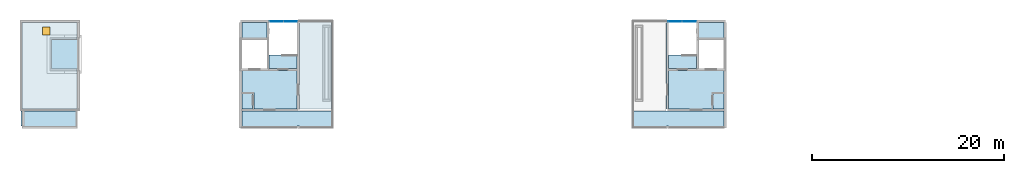
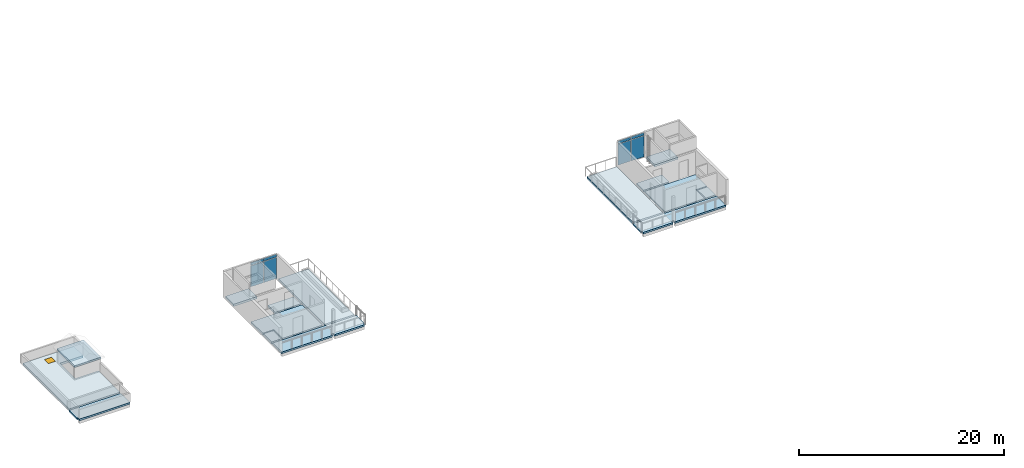
# One storey, part 8 of 15: 15 slabs, 8 plates, 1 door, 1 opening, 2 elements without a shape of their own.
"""IFC4 building model written with IfcOpenShell, lengths in metres."""

from ifc_helpers import new_model, si_unit, direction, frame, origin, origin_2d, place, context, subcontext, project, spatial, polyline, rectangle, outline, extrude, material, layer, layer_set, type_object, element, fill, aggregate, save


model = new_model("IFC4")

# Units and contexts
model_context = context("Model", 3, precision=1e-05, world=origin(), true_north=direction((0.0, 1.0)))
body_context = subcontext(model_context, "Body", "Model", "MODEL_VIEW")
ifc_project = project(units=[si_unit("LENGTHUNIT", "METRE"), si_unit("AREAUNIT", "SQUARE_METRE"), si_unit("VOLUMEUNIT", "CUBIC_METRE"), si_unit("PLANEANGLEUNIT", "RADIAN"), si_unit("MASSUNIT", "GRAM", prefix="KILO")], contexts=[model_context])

# Site, building, storey
site_placement = place(None, origin())
site = spatial("IfcSite", under=ifc_project, at=site_placement, CompositionType="ELEMENT")
building_placement = place(site_placement, origin())
building = spatial("IfcBuilding", under=site, at=building_placement, Name="Ridgestep Commons", CompositionType="ELEMENT")
storey_placement = place(building_placement, frame((0.0, 0.0, 45.0)))
storey = spatial("IfcBuildingStorey", under=building, at=storey_placement, Name="L15", CompositionType="ELEMENT", Elevation=45.0)

# Slabs
ifc_material_1 = material(Name="Precast concrete C40/50", Category="concrete")
ifc_layer_1 = layer(ifc_material_1, 0.199951171875)
ifc_layer_set_1 = layer_set([ifc_layer_1], Name="Gallery roof slab 200")
slab_type_1 = type_object("IfcSlabType", Name="Gallery roof slab 200", PredefinedType="ROOF", material=ifc_layer_set_1)
slab_1_placement = place(storey_placement, frame((0.0, 0.0, -0.199951171875)))
element("IfcSlab", 1, at=slab_1_placement, inside=storey, type_object=slab_type_1, Name="Gallery slab A1 L15", PredefinedType="ROOF", context=body_context, shape_type="SweptSolid", body=[
    extrude(outline(polyline([(22.800048828125, 13.550048828125), (22.800048828125, 12.0), (22.925048828125, 12.0), (22.925048828125, 11.75), (28.64990234375, 11.75), (28.64990234375, 13.550048828125), (22.800048828125, 13.550048828125)])), origin(), (0.0, 0.0, 1.0), 0.199951171875),
])
ifc_material_2 = material(Name="Precast concrete C40/50", Category="concrete")
ifc_layer_2 = layer(ifc_material_2, 0.199951171875)
ifc_layer_set_2 = layer_set([ifc_layer_2], Name="Gallery slab 200")
slab_type_2 = type_object("IfcSlabType", Name="Gallery slab 200", PredefinedType="FLOOR", material=ifc_layer_set_2)
slab_2_placement = place(storey_placement, frame((0.0, 0.0, -0.199951171875)))
element("IfcSlab", 2, at=slab_2_placement, inside=storey, type_object=slab_type_2, Name="Gallery slab A3 L15", PredefinedType="FLOOR", context=body_context, shape_type="SweptSolid", body=[
    extrude(outline(polyline([(45.75, 13.550048828125), (45.75, 11.75), (51.47509765625, 11.75), (51.47509765625, 12.0), (51.72509765625, 12.0), (51.72509765625, 11.75), (55.074951171875, 11.75), (55.074951171875, 12.0), (55.199951171875, 12.0), (55.199951171875, 13.550048828125), (45.75, 13.550048828125)])), origin(), (0.0, 0.0, 1.0), 0.199951171875),
])
slab_3_placement = place(storey_placement, frame((0.0, 0.0, -0.199951171875)))
element("IfcSlab", 3, at=slab_3_placement, inside=storey, type_object=slab_type_2, Name="Gallery slab A5 L15", PredefinedType="FLOOR", context=body_context, shape_type="SweptSolid", body=[
    extrude(outline(polyline([(95.85009765625, 13.550048828125), (86.39990234375, 13.550048828125), (86.39990234375, 12.0), (86.52490234375, 12.0), (86.52490234375, 11.75), (89.875, 11.75), (89.875, 12.0), (90.125, 12.0), (90.125, 11.75), (95.85009765625, 11.75), (95.85009765625, 13.550048828125)])), origin(), (0.0, 0.0, 1.0), 0.199951171875),
])

# Curtain wall, plates
ifc_material_3 = material(Name="Aluminium 6063-T6 and glass", Category="aluminium")
curtain_wall_type = type_object("IfcCurtainWallType", Name="Curtain wall stair strip", PredefinedType="NOTDEFINED", material=ifc_material_3)
curtain_wall_1_placement = place(storey_placement, origin())
curtain_wall_1 = element("IfcCurtainWall", 4, at=curtain_wall_1_placement, inside=storey, type_object=curtain_wall_type, Name="Curtain wall A3C level 15", PredefinedType="NOTDEFINED")
ifc_material_4 = material(Name="Glass laminated 6/16/6 low-emissivity", Category="glass")
ifc_layer_3 = layer(ifc_material_4, 0.028076171875)
ifc_layer_set_3 = layer_set([ifc_layer_3], Name="Glazing panel 28")
plate_type_1 = type_object("IfcPlateType", Name="Glazing panel 28", PredefinedType="CURTAIN_PANEL", material=ifc_layer_set_3)
plate_1_placement = place(storey_placement, frame((49.34619140625, 22.830078125, 0.06005859375), z_axis=(0.0, 0.0, 1.0), x_axis=(1.0, 0.0, 0.0)))
plate_1 = element("IfcPlate", 5, at=plate_1_placement, type_object=plate_type_1, Name="CW1 panel 1.1", PredefinedType="CURTAIN_PANEL", context=body_context, shape_type="SweptSolid", body=[
    extrude(rectangle(XDim=1.422607421875, YDim=0.028076171875, at=origin_2d()), origin(), (0.0, 0.0, 1.0), 2.5),
])
plate_2_placement = place(storey_placement, frame((50.828857421875, 22.830078125, 0.06005859375), z_axis=(0.0, 0.0, 1.0), x_axis=(1.0, 0.0, 0.0)))
plate_2 = element("IfcPlate", 6, at=plate_2_placement, type_object=plate_type_1, Name="CW1 panel 2.1", PredefinedType="CURTAIN_PANEL", context=body_context, shape_type="SweptSolid", body=[
    extrude(rectangle(XDim=1.422607421875, YDim=0.028076171875, at=origin_2d()), origin(), (0.0, 0.0, 1.0), 2.5),
])

curtain_wall_2_placement = place(storey_placement, origin())
curtain_wall_2 = element("IfcCurtainWall", 7, at=curtain_wall_2_placement, inside=storey, type_object=curtain_wall_type, Name="Curtain wall A5C level 15", PredefinedType="NOTDEFINED")
plate_3_placement = place(storey_placement, frame((90.771240234375, 22.830078125, 0.06005859375), z_axis=(0.0, 0.0, 1.0), x_axis=(1.0, 0.0, 0.0)))
plate_3 = element("IfcPlate", 8, at=plate_3_placement, type_object=plate_type_1, Name="CW1 panel 1.1", PredefinedType="CURTAIN_PANEL", context=body_context, shape_type="SweptSolid", body=[
    extrude(rectangle(XDim=1.422607421875, YDim=0.028076171875, at=origin_2d()), origin(), (0.0, 0.0, 1.0), 2.5),
])
plate_4_placement = place(storey_placement, frame((92.253662109375, 22.830078125, 0.06005859375), z_axis=(0.0, 0.0, 1.0), x_axis=(1.0, 0.0, 0.0)))
plate_4 = element("IfcPlate", 9, at=plate_4_placement, type_object=plate_type_1, Name="CW1 panel 2.1", PredefinedType="CURTAIN_PANEL", context=body_context, shape_type="SweptSolid", body=[
    extrude(rectangle(XDim=1.422607421875, YDim=0.028076171875, at=origin_2d()), origin(), (0.0, 0.0, 1.0), 2.5),
])

# Slabs
ifc_material_5 = material(Name="Precast concrete C50/60", Category="concrete")
ifc_layer_4 = layer(ifc_material_5, 0.25)
ifc_layer_set_4 = layer_set([ifc_layer_4], Name="Hollow-core plank 250")
slab_type_3 = type_object("IfcSlabType", Name="Hollow-core plank 250", PredefinedType="FLOOR", material=ifc_layer_set_4)
slab_4_placement = place(storey_placement, frame((0.0, 0.0, -0.25)))
element("IfcSlab", 10, at=slab_4_placement, inside=storey, type_object=slab_type_3, Name="Floor plank A3C L15", PredefinedType="FLOOR", context=body_context, shape_type="SweptSolid", body=[
    extrude(outline(polyline([(47.0, 13.75), (51.47509765625, 13.75), (51.47509765625, 17.75), (45.75, 17.75), (45.75, 15.469970703125), (46.8798828125, 15.469970703125), (47.0, 15.469970703125), (47.0, 13.75)])), origin(), (0.0, 0.0, 1.0), 0.25),
])
slab_5_placement = place(storey_placement, frame((0.0, 0.0, -0.25)))
element("IfcSlab", 11, at=slab_5_placement, inside=storey, type_object=slab_type_3, Name="Floor plank A3C L15", PredefinedType="FLOOR", context=body_context, shape_type="SweptSolid", body=[
    extrude(outline(polyline([(48.375, 22.75), (45.75, 22.75), (45.75, 21.14990234375), (48.375, 21.14990234375), (48.375, 22.75)])), origin(), (0.0, 0.0, 1.0), 0.25),
])
slab_6_placement = place(storey_placement, frame((0.0, 0.0, -0.25)))
element("IfcSlab", 12, at=slab_6_placement, inside=storey, type_object=slab_type_3, Name="Floor plank A3C L15", PredefinedType="FLOOR", context=body_context, shape_type="SweptSolid", body=[
    extrude(outline(polyline([(51.47509765625, 17.949951171875), (51.47509765625, 19.35009765625), (48.574951171875, 19.35009765625), (48.574951171875, 17.949951171875), (51.47509765625, 17.949951171875)])), origin(), (0.0, 0.0, 1.0), 0.25),
])
slab_7_placement = place(storey_placement, frame((0.0, 0.0, -0.25)))
element("IfcSlab", 13, at=slab_7_placement, inside=storey, type_object=slab_type_3, Name="Floor plank A3C L15", PredefinedType="FLOOR", context=body_context, shape_type="SweptSolid", body=[
    extrude(outline(polyline([(46.8798828125, 15.35009765625), (45.75, 15.35009765625), (45.75, 13.75), (46.8798828125, 13.75), (46.8798828125, 15.35009765625)])), origin(), (0.0, 0.0, 1.0), 0.25),
])
slab_8_placement = place(storey_placement, frame((0.0, 0.0, -0.25)))
element("IfcSlab", 14, at=slab_8_placement, inside=storey, type_object=slab_type_3, Name="Floor plank A5C L15", PredefinedType="FLOOR", context=body_context, shape_type="SweptSolid", body=[
    extrude(outline(polyline([(94.719970703125, 15.469970703125), (95.85009765625, 15.469970703125), (95.85009765625, 17.75), (90.125, 17.75), (90.125, 13.75), (94.60009765625, 13.75), (94.60009765625, 15.469970703125), (94.719970703125, 15.469970703125)])), origin(), (0.0, 0.0, 1.0), 0.25),
])
slab_9_placement = place(storey_placement, frame((0.0, 0.0, -0.25)))
element("IfcSlab", 15, at=slab_9_placement, inside=storey, type_object=slab_type_3, Name="Floor plank A5C L15", PredefinedType="FLOOR", context=body_context, shape_type="SweptSolid", body=[
    extrude(outline(polyline([(95.85009765625, 21.14990234375), (95.85009765625, 22.75), (93.22509765625, 22.75), (93.22509765625, 21.14990234375), (95.85009765625, 21.14990234375)])), origin(), (0.0, 0.0, 1.0), 0.25),
])
slab_10_placement = place(storey_placement, frame((0.0, 0.0, -0.25)))
element("IfcSlab", 16, at=slab_10_placement, inside=storey, type_object=slab_type_3, Name="Floor plank A5C L15", PredefinedType="FLOOR", context=body_context, shape_type="SweptSolid", body=[
    extrude(outline(polyline([(93.02490234375, 17.949951171875), (93.02490234375, 19.35009765625), (90.125, 19.35009765625), (90.125, 17.949951171875), (93.02490234375, 17.949951171875)])), origin(), (0.0, 0.0, 1.0), 0.25),
])
slab_11_placement = place(storey_placement, frame((0.0, 0.0, -0.25)))
element("IfcSlab", 17, at=slab_11_placement, inside=storey, type_object=slab_type_3, Name="Floor plank A5C L15", PredefinedType="FLOOR", context=body_context, shape_type="SweptSolid", body=[
    extrude(outline(polyline([(94.719970703125, 13.75), (95.85009765625, 13.75), (95.85009765625, 15.35009765625), (94.719970703125, 15.35009765625), (94.719970703125, 13.75)])), origin(), (0.0, 0.0, 1.0), 0.25),
])
ifc_material_6 = material(Name="Precast concrete C50/60", Category="concrete")
ifc_layer_5 = layer(ifc_material_6, 0.199951171875)
ifc_layer_set_5 = layer_set([ifc_layer_5], Name="Overrun roof 200")
slab_type_4 = type_object("IfcSlabType", Name="Overrun roof 200", PredefinedType="ROOF", material=ifc_layer_set_5)
slab_12_placement = place(storey_placement, frame((0.0, 0.0, 1.5)))
element("IfcSlab", 18, at=slab_12_placement, inside=storey, type_object=slab_type_4, Name="Lift overrun roof A1C", PredefinedType="ROOF", context=body_context, shape_type="SweptSolid", body=[
    extrude(outline(polyline([(28.800048828125, 17.75), (28.800048828125, 21.14990234375), (25.824951171875, 21.14990234375), (25.824951171875, 17.75), (28.800048828125, 17.75)])), origin(), (0.0, 0.0, 1.0), 0.199951171875),
])

# Slab, opening, door
ifc_material_7 = material(Name="Precast concrete C50/60", Category="concrete")
ifc_layer_6 = layer(ifc_material_7, 0.25)
ifc_layer_set_6 = layer_set([ifc_layer_6], Name="Roof slab 250")
slab_type_5 = type_object("IfcSlabType", Name="Roof slab 250", PredefinedType="ROOF", material=ifc_layer_set_6)
slab_13_placement = place(storey_placement, frame((0.0, 0.0, -0.25)))
slab_13 = element("IfcSlab", 19, at=slab_13_placement, inside=storey, type_object=slab_type_5, Name="Roof slab A1C", PredefinedType="ROOF", context=body_context, shape_type="SweptSolid", body=[
    extrude(outline(polyline([(28.64990234375, 13.75), (28.64990234375, 17.949951171875), (26.02490234375, 17.949951171875), (26.02490234375, 20.949951171875), (28.64990234375, 20.949951171875), (28.64990234375, 22.75), (22.925048828125, 22.75), (22.925048828125, 13.75), (28.64990234375, 13.75)])), origin(), (0.0, 0.0, 1.0), 0.25),
])
opening_placement = place(slab_13_placement, frame((25.425048828125, 21.85009765625, 0.0)))
opening = element("IfcOpeningElement", 20, at=opening_placement, cuts=slab_13, Name="Opening A1C/RF/1", PredefinedType="OPENING", context=body_context, shape_type="SweptSolid", body=[
    extrude(rectangle(XDim=0.800048828125, YDim=0.800048828125, at=origin_2d()), origin(), (0.0, 0.0, 1.0), 0.25),
])
ifc_material_8 = material(Name="Steel", Category="steel")
door_type = type_object("IfcDoorType", Name="Ladder roof hatch 800 x 800", OperationType="SINGLE_SWING_LEFT", PredefinedType="TRAPDOOR", material=ifc_material_8)
door_placement = place(opening_placement, frame((0.0, 0.0, 0.199951171875)))
door = element("IfcDoor", 21, at=door_placement, inside=storey, type_object=door_type, Name="Roof hatch A1C", OperationType="SINGLE_SWING_LEFT", OverallHeight=0.800048828125, OverallWidth=0.800048828125, PredefinedType="TRAPDOOR", context=body_context, shape_type="SweptSolid", body=[
    extrude(rectangle(XDim=0.800048828125, YDim=0.800048828125, at=origin_2d()), origin(), (0.0, 0.0, 1.0), 0.050048828125),
])
fill(opening, door)

# Slabs
slab_14_placement = place(storey_placement, frame((0.0, 0.0, -0.25)))
element("IfcSlab", 22, at=slab_14_placement, inside=storey, type_object=slab_type_5, Name="Terrace slab A3T3", PredefinedType="ROOF", context=body_context, shape_type="SweptSolid", body=[
    extrude(outline(polyline([(55.10009765625, 13.75), (55.10009765625, 22.75), (51.72509765625, 22.75), (51.72509765625, 13.75), (55.10009765625, 13.75)])), origin(), (0.0, 0.0, 1.0), 0.25),
])
slab_15_placement = place(storey_placement, frame((0.0, 0.0, -0.25)))
element("IfcSlab", 23, at=slab_15_placement, inside=storey, type_object=slab_type_5, Name="Terrace slab A5T3", PredefinedType="ROOF", context=body_context, shape_type="SweptSolid", body=[
    extrude(outline(polyline([(89.875, 13.75), (89.875, 22.75), (86.5, 22.75), (86.5, 13.75), (89.875, 13.75)])), origin(), (0.0, 0.0, 1.0), 0.25),
])

# Plate
ifc_material_9 = material(Name="Aluminium 6063-T6 and mineral wool", Category="aluminium")
ifc_layer_7 = layer(ifc_material_9, 0.0400390625)
ifc_layer_set_7 = layer_set([ifc_layer_7], Name="Spandrel panel 40")
plate_type_2 = type_object("IfcPlateType", Name="Spandrel panel 40", PredefinedType="CURTAIN_PANEL", material=ifc_layer_set_7)
plate_5_placement = place(storey_placement, frame((49.34619140625, 22.830078125, 2.6201171875), z_axis=(0.0, 0.0, 1.0), x_axis=(1.0, 0.0, 0.0)))
plate_5 = element("IfcPlate", 24, at=plate_5_placement, type_object=plate_type_2, Name="CW1 panel 1.2", PredefinedType="CURTAIN_PANEL", context=body_context, shape_type="SweptSolid", body=[
    extrude(rectangle(XDim=1.422607421875, YDim=0.0400390625, at=origin_2d()), origin(), (0.0, 0.0, 1.0), 0.320068359375),
])

plate_6_placement = place(storey_placement, frame((50.828857421875, 22.830078125, 2.6201171875), z_axis=(0.0, 0.0, 1.0), x_axis=(1.0, 0.0, 0.0)))
plate_6 = element("IfcPlate", 25, at=plate_6_placement, type_object=plate_type_2, Name="CW1 panel 2.2", PredefinedType="CURTAIN_PANEL", context=body_context, shape_type="SweptSolid", body=[
    extrude(rectangle(XDim=1.422607421875, YDim=0.0400390625, at=origin_2d()), origin(), (0.0, 0.0, 1.0), 0.320068359375),
])

aggregate(curtain_wall_1, [plate_1, plate_5, plate_2, plate_6])

plate_7_placement = place(storey_placement, frame((90.771240234375, 22.830078125, 2.6201171875), z_axis=(0.0, 0.0, 1.0), x_axis=(1.0, 0.0, 0.0)))
plate_7 = element("IfcPlate", 26, at=plate_7_placement, type_object=plate_type_2, Name="CW1 panel 1.2", PredefinedType="CURTAIN_PANEL", context=body_context, shape_type="SweptSolid", body=[
    extrude(rectangle(XDim=1.422607421875, YDim=0.0400390625, at=origin_2d()), origin(), (0.0, 0.0, 1.0), 0.320068359375),
])

plate_8_placement = place(storey_placement, frame((92.253662109375, 22.830078125, 2.6201171875), z_axis=(0.0, 0.0, 1.0), x_axis=(1.0, 0.0, 0.0)))
plate_8 = element("IfcPlate", 27, at=plate_8_placement, type_object=plate_type_2, Name="CW1 panel 2.2", PredefinedType="CURTAIN_PANEL", context=body_context, shape_type="SweptSolid", body=[
    extrude(rectangle(XDim=1.422607421875, YDim=0.0400390625, at=origin_2d()), origin(), (0.0, 0.0, 1.0), 0.320068359375),
])

aggregate(curtain_wall_2, [plate_3, plate_7, plate_4, plate_8])

save(model, "model.ifc")
